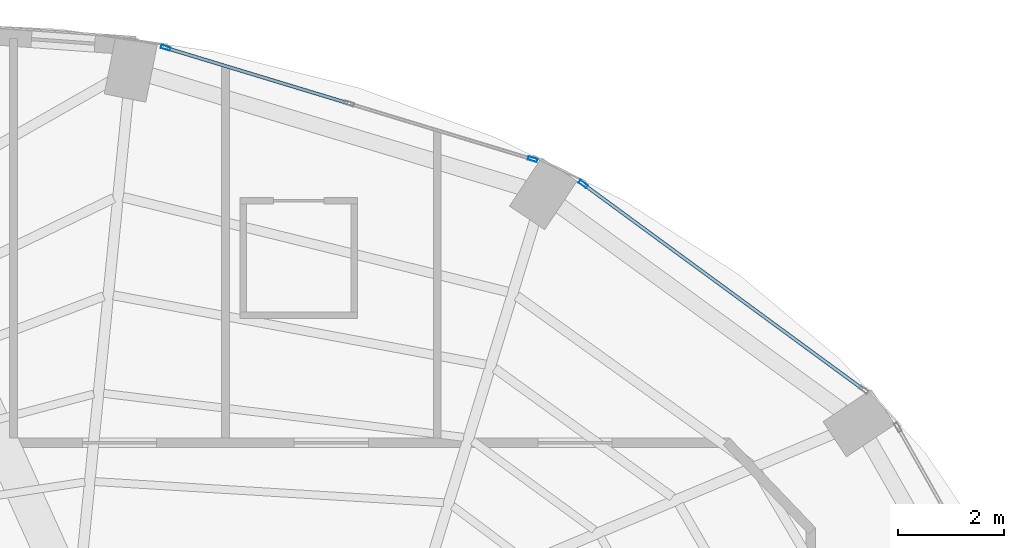
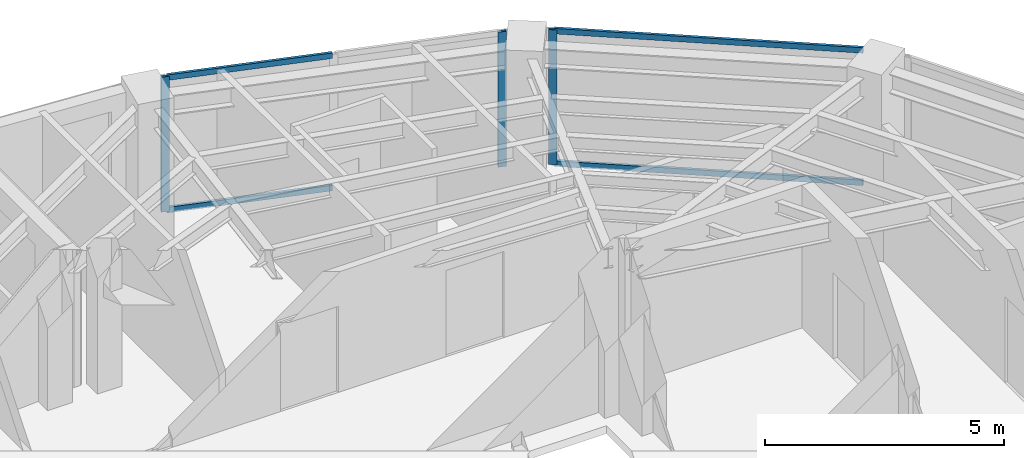
# One storey, part 17 of 23: 7 members, 2 elements without a shape of their own.
"""IFC4 building model written with IfcOpenShell, lengths in metres."""

import ifcopenshell
import ifcopenshell.guid

model = None  # the IFC model being written
_history = None  # IfcOwnerHistory: only IFC2X3 demands one
_inside = {}  # id of a spatial element -> (the spatial element, [elements in it])
_under = {}  # id of a project, library or spatial element -> (it, [spatial elements below it])
_declared = {}  # id of a project -> (the project, [libraries it declares])
_typed = {}  # id of a type object -> (the type object, [elements of that type])
_made_of = {}  # id of a material, layer set ... -> (it, [elements and type objects made of it])


def new_model(schema):
    """Start an empty IFC model of exactly this schema.

    Asked for "IFC4X3", IfcOpenShell would pick the latest addendum, in which some entities
    have other attributes; the version numbers below select the first issue.
    IFC2X3 requires an IfcOwnerHistory on every rooted entity: one is made here for all.
    """
    global model, _history
    if schema == "IFC4X3":
        model = ifcopenshell.file(schema_version=(4, 3, 0, 0))
    else:
        model = ifcopenshell.file(schema=schema)
    _inside.clear()
    _under.clear()
    _declared.clear()
    _typed.clear()
    _made_of.clear()
    _history = None
    if model.schema == "IFC2X3":
        org = make("IfcOrganization", Name="unknown")
        user = make(
            "IfcPersonAndOrganization",
            ThePerson=make("IfcPerson", FamilyName="unknown"),
            TheOrganization=org,
        )
        app = make(
            "IfcApplication",
            ApplicationDeveloper=org,
            Version="unknown",
            ApplicationFullName="unknown",
            ApplicationIdentifier="unknown",
        )
        _history = make(
            "IfcOwnerHistory",
            OwningUser=user,
            OwningApplication=app,
            ChangeAction="ADDED",
            CreationDate=0,
        )
    return model


def make(cls, **values):
    """One entity of the class cls with the attributes given. An attribute that is None is left unset."""
    return model.create_entity(
        cls, **{name: value for name, value in values.items() if value is not None}
    )


def rooted(cls, **values):
    """An entity with a GlobalId (a new one), such as an element, a storey or a relation."""
    return make(cls, GlobalId=ifcopenshell.guid.new(), OwnerHistory=_history, **values)


def si_unit(unit_type, name, prefix=None):
    """IfcSIUnit, for example si_unit("LENGTHUNIT", "METRE", prefix="MILLI")."""
    return make("IfcSIUnit", UnitType=unit_type, Prefix=prefix, Name=name)


def assignment(units):
    """IfcUnitAssignment: the units of a project."""
    return None if units is None else make("IfcUnitAssignment", Units=units)


def point(xyz):
    """IfcCartesianPoint."""
    return None if xyz is None else make("IfcCartesianPoint", Coordinates=xyz)


def direction(xyz):
    """IfcDirection."""
    return None if xyz is None else make("IfcDirection", DirectionRatios=xyz)


def frame(location, z_axis=None, x_axis=None):
    """IfcAxis2Placement3D, a coordinate frame: its origin and axes. An axis left out is left unset."""
    return make(
        "IfcAxis2Placement3D",
        Location=point(location),
        Axis=direction(z_axis),
        RefDirection=direction(x_axis),
    )


def frame_2d(location, x_axis=None):
    """IfcAxis2Placement2D, a coordinate frame in the plane: its origin and x axis."""
    return make(
        "IfcAxis2Placement2D", Location=point(location), RefDirection=direction(x_axis)
    )


def origin():
    """The frame at (0, 0, 0) with its axes left unset."""
    return frame((0.0, 0.0, 0.0))


def origin_2d():
    """The frame at (0, 0) in the plane with its x axis left unset."""
    return frame_2d((0.0, 0.0))


def place(relative_to, where):
    """IfcLocalPlacement: puts the frame where relative to a parent placement (None: the world)."""
    return make(
        "IfcLocalPlacement", PlacementRelTo=relative_to, RelativePlacement=where
    )


def context(
    kind, dimensions, precision=None, world=None, true_north=None, identifier=None
):
    """IfcGeometricRepresentationContext, for example the 3D "Model" context."""
    return make(
        "IfcGeometricRepresentationContext",
        ContextIdentifier=identifier,
        ContextType=kind,
        CoordinateSpaceDimension=dimensions,
        Precision=precision,
        WorldCoordinateSystem=world,
        TrueNorth=true_north,
    )


def subcontext(parent, identifier, kind, view, scale=None):
    """IfcGeometricRepresentationSubContext, for example "Body" below "Model"."""
    return make(
        "IfcGeometricRepresentationSubContext",
        ContextIdentifier=identifier,
        ContextType=kind,
        ParentContext=parent,
        TargetScale=scale,
        TargetView=view,
    )


def project(units=None, contexts=None):
    """IfcProject with its units and contexts."""
    return rooted(
        "IfcProject",
        Name="project",
        RepresentationContexts=contexts,
        UnitsInContext=assignment(units),
    )


def spatial(cls, under=None, at=None, **own):
    """A site, building, storey or space (cls), placed at a placement, below another one or the project."""
    s = rooted(cls, ObjectPlacement=at, **own)
    if under is not None:
        _under.setdefault(under.id(), (under, []))[1].append(s)
    return s


def profile(cls, at=None, kind="AREA", **sizes):
    """A parametric profile (cls). Its sizes go by their IFC names, for example OverallWidth=200.0."""
    return make(cls, ProfileType=kind, Position=at, **sizes)


def hollow_rectangle(**sizes):
    """IfcRectangleHollowProfileDef."""
    return profile("IfcRectangleHollowProfileDef", **sizes)


def extrude(swept, where, along, depth):
    """IfcExtrudedAreaSolid: the profile swept, set in the frame where, extruded along a direction by depth."""
    return make(
        "IfcExtrudedAreaSolid",
        SweptArea=swept,
        Position=where,
        ExtrudedDirection=direction(along),
        Depth=depth,
    )


def shape(context_of_items, identifier, shape_type, items):
    """IfcShapeRepresentation: the items that make up one representation, for example the "Body"."""
    return make(
        "IfcShapeRepresentation",
        ContextOfItems=context_of_items,
        RepresentationIdentifier=identifier,
        RepresentationType=shape_type,
        Items=items,
    )


def material(Name=None, Category=None):
    """IfcMaterial."""
    return make("IfcMaterial", Name=Name, Category=Category)


def layer(
    of_material, thickness, ventilated=None, Name=None, Category=None, Priority=None
):
    """IfcMaterialLayer: one layer of a wall or slab, of a material (None: an air gap)."""
    return make(
        "IfcMaterialLayer",
        Material=of_material,
        LayerThickness=thickness,
        IsVentilated=ventilated,
        Name=Name,
        Category=Category,
        Priority=Priority,
    )


def layer_set(layers, Name=None):
    """IfcMaterialLayerSet."""
    return make("IfcMaterialLayerSet", MaterialLayers=layers, LayerSetName=Name)


def material_profile(
    of_material, cross_section, Name=None, Category=None, Priority=None
):
    """IfcMaterialProfile: a cross section and its material."""
    return make(
        "IfcMaterialProfile",
        Name=Name,
        Material=of_material,
        Profile=cross_section,
        Priority=Priority,
        Category=Category,
    )


def profile_set(profiles, Name=None, composite=None):
    """IfcMaterialProfileSet."""
    return make(
        "IfcMaterialProfileSet",
        Name=Name,
        MaterialProfiles=profiles,
        CompositeProfile=composite,
    )


def made_of(thing, what):
    """Note that an element or type object is made of a material, layer set ...; save() writes the relation."""
    if what is not None:
        _made_of.setdefault(what.id(), (what, []))[1].append(thing)
    return thing


def type_object(cls, material=None, **own):
    """A type object (cls), such as IfcWallType, which elements share."""
    return made_of(rooted(cls, **own), material)


def element(
    cls,
    number,
    at=None,
    inside=None,
    cuts=None,
    type_object=None,
    material=None,
    context=None,
    identifier="Body",
    shape_type=None,
    held_by="IfcProductDefinitionShape",
    body=None,
    shapes=None,
    **own,
):
    """One element of the class cls, such as IfcWall. Its Tag is "e" and its number.

    at: its placement. inside: the storey or other place that contains it. cuts: it is an
    opening in that element (IfcRelVoidsElement). A single representation is given by context,
    identifier, shape_type and body (its items); several are given by shapes. held_by: the class
    of the entity that holds the representations. save() writes the other relations.
    """
    e = rooted(cls, Tag="e%d" % number, ObjectPlacement=at, **own)
    if body is not None:
        shapes = [shape(context, identifier, shape_type, body)]
    if shapes is not None:
        e.Representation = make(held_by, Representations=shapes)
    if inside is not None:
        _inside.setdefault(inside.id(), (inside, []))[1].append(e)
    if cuts is not None:
        rooted(
            "IfcRelVoidsElement", RelatingBuildingElement=cuts, RelatedOpeningElement=e
        )
    if type_object is not None:
        _typed.setdefault(type_object.id(), (type_object, []))[1].append(e)
    return made_of(e, material)


def aggregate(whole, parts):
    """IfcRelAggregates: a whole, such as a stair, and the parts it consists of."""
    return rooted("IfcRelAggregates", RelatingObject=whole, RelatedObjects=parts)


def save(model, path):
    """Write the relations noted so far, then the file.

    IfcRelAggregates (storeys below a building ...), IfcRelContainedInSpatialStructure (elements
    in a storey), IfcRelDefinesByType, IfcRelAssociatesMaterial and IfcRelDeclares: one each for
    every whole, place, type object, material and project.
    """
    for whole, parts in _under.values():
        aggregate(whole, parts)
    for where, things in _inside.values():
        rooted(
            "IfcRelContainedInSpatialStructure",
            RelatedElements=things,
            RelatingStructure=where,
        )
    for kind, things in _typed.values():
        rooted("IfcRelDefinesByType", RelatedObjects=things, RelatingType=kind)
    for what, things in _made_of.values():
        rooted("IfcRelAssociatesMaterial", RelatedObjects=things, RelatingMaterial=what)
    for by, libraries in _declared.values():
        rooted("IfcRelDeclares", RelatingContext=by, RelatedDefinitions=libraries)
    model.write(path)


model = new_model("IFC4")

# Units and contexts
model_context = context("Model", 3, precision=1e-05, world=origin(), true_north=direction((0.0, 1.0)))
body_context = subcontext(model_context, "Body", "Model", "MODEL_VIEW")
ifc_project = project(units=[si_unit("LENGTHUNIT", "METRE"), si_unit("AREAUNIT", "SQUARE_METRE"), si_unit("VOLUMEUNIT", "CUBIC_METRE"), si_unit("PLANEANGLEUNIT", "RADIAN"), si_unit("MASSUNIT", "GRAM", prefix="KILO")], contexts=[model_context])

# Site, building, storey
site_placement = place(None, origin())
site = spatial("IfcSite", under=ifc_project, at=site_placement, CompositionType="ELEMENT")
building_placement = place(site_placement, origin())
building = spatial("IfcBuilding", under=site, at=building_placement, Name="Lazwardi Medical Tower", CompositionType="ELEMENT")
storey_placement = place(building_placement, frame((0.0, 0.0, 198.47998046875)))
storey = spatial("IfcBuildingStorey", under=building, at=storey_placement, Name="L51", CompositionType="ELEMENT", Elevation=198.47998046875)

# Curtain wall, member
ifc_material_1 = material(Name="Anodised bronze aluminium and solar control glazing", Category="aluminium")
ifc_layer = layer(ifc_material_1, 0.18994140625)
ifc_layer_set = layer_set([ifc_layer], Name="Anodised bronze aluminium and solar control glazing")
curtain_wall_type = type_object("IfcCurtainWallType", Name="CW-SYS-04", PredefinedType="NOTDEFINED", material=ifc_layer_set)
curtain_wall_1_placement = place(storey_placement, origin())
curtain_wall_1 = element("IfcCurtainWall", 1, at=curtain_wall_1_placement, inside=storey, type_object=curtain_wall_type, Name="L51 Unitised bronze curtain wall CW-04", PredefinedType="NOTDEFINED")
ifc_material_2 = material(Name="Anodised bronze aluminium", Category="aluminium")
ifc_material_profile_1 = material_profile(ifc_material_2, hollow_rectangle(XDim=0.06494140625, YDim=0.179931640625, WallThickness=0.00390625, at=origin_2d()), Name="ALU-MULLION 180x65x4")
ifc_profile_set_1 = profile_set([ifc_material_profile_1], Name="Anodised bronze aluminium")
member_type_1 = type_object("IfcMemberType", Name="CW-MUL-03", PredefinedType="MULLION", material=ifc_profile_set_1)
member_1_placement = place(storey_placement, frame((48.75537109375, 43.634765625, 0.0), z_axis=(0.0, 0.0, 1.0), x_axis=(-0.591268230971, -0.806474971121, 0.0)))
member_1 = element("IfcMember", 2, at=member_1_placement, type_object=member_type_1, Name="CW-04 mullion 2", PredefinedType="MULLION", context=body_context, shape_type="SweptSolid", body=[
    extrude(hollow_rectangle(XDim=0.06494140625, YDim=0.179931640625, WallThickness=0.00390625, at=origin_2d()), origin(), (0.0, 0.0, 1.0), 3.447998046875),
])

# Curtain wall, members
curtain_wall_2_placement = place(storey_placement, origin())
curtain_wall_2 = element("IfcCurtainWall", 3, at=curtain_wall_2_placement, inside=storey, type_object=curtain_wall_type, Name="L51 Unitised bronze curtain wall CW-04", PredefinedType="NOTDEFINED")
member_2_placement = place(storey_placement, frame((47.7998046875, 44.103515625, 0.0), z_axis=(0.0, 0.0, 1.0), x_axis=(-0.290581889515, -0.956850126972, 0.0)))
member_2 = element("IfcMember", 4, at=member_2_placement, type_object=member_type_1, Name="CW-04 mullion 1", PredefinedType="MULLION", context=body_context, shape_type="SweptSolid", body=[
    extrude(hollow_rectangle(XDim=0.06494140625, YDim=0.179931640625, WallThickness=0.00390625, at=origin_2d()), origin(), (0.0, 0.0, 1.0), 3.447998046875),
])
member_3_placement = place(storey_placement, frame((40.873046875, 46.20703125, 0.0), z_axis=(0.0, 0.0, 1.0), x_axis=(-0.290581889515, -0.956850126972, 0.0)))
member_3 = element("IfcMember", 5, at=member_3_placement, type_object=member_type_1, Name="CW-04 mullion 3", PredefinedType="MULLION", context=body_context, shape_type="SweptSolid", body=[
    extrude(hollow_rectangle(XDim=0.06494140625, YDim=0.179931640625, WallThickness=0.00390625, at=origin_2d()), origin(), (0.0, 0.0, 1.0), 3.447998046875),
])

# Member
ifc_material_profile_2 = material_profile(ifc_material_2, hollow_rectangle(XDim=0.06494140625, YDim=0.139892578125, WallThickness=0.00341796875, at=origin_2d()), Name="ALU-TRANSOM 140x65x3.5")
ifc_profile_set_2 = profile_set([ifc_material_profile_2], Name="Anodised bronze aluminium")
member_type_2 = type_object("IfcMemberType", Name="CW-TRN-03", PredefinedType="USERDEFINED", material=ifc_profile_set_2)
member_4_placement = place(storey_placement, frame((54.02587890625, 39.770751953125, 0.032470703125), z_axis=(-0.806471831148, 0.591272513791, 0.0), x_axis=(-0.591272513791, -0.806471831148, 0.0)))
member_4 = element("IfcMember", 6, at=member_4_placement, type_object=member_type_2, Name="CW-04 transom 1.1", ObjectType="TRANSOM", PredefinedType="USERDEFINED", context=body_context, shape_type="SweptSolid", body=[
    extrude(hollow_rectangle(XDim=0.06494140625, YDim=0.139892578125, WallThickness=0.00341796875, at=origin_2d()), origin(), (0.0, 0.0, 1.0), 6.5029296875),
])

member_5_placement = place(storey_placement, frame((54.02587890625, 39.770751953125, 3.41552734375), z_axis=(-0.806471831148, 0.591272513791, 0.0), x_axis=(-0.591272513791, -0.806471831148, 0.0)))
member_5 = element("IfcMember", 7, at=member_5_placement, type_object=member_type_2, Name="CW-04 transom 1.2", ObjectType="TRANSOM", PredefinedType="USERDEFINED", context=body_context, shape_type="SweptSolid", body=[
    extrude(hollow_rectangle(XDim=0.06494140625, YDim=0.139892578125, WallThickness=0.00341796875, at=origin_2d()), origin(), (0.0, 0.0, 1.0), 6.5029296875),
])

aggregate(curtain_wall_1, [member_1, member_4, member_5])

member_6_placement = place(storey_placement, frame((44.305419921875, 45.164794921875, 0.032470703125), z_axis=(-0.956862505902, 0.290541124109, 0.0), x_axis=(-0.290541124109, -0.956862505902, 0.0)))
member_6 = element("IfcMember", 8, at=member_6_placement, type_object=member_type_2, Name="CW-04 transom 2.1", ObjectType="TRANSOM", PredefinedType="USERDEFINED", context=body_context, shape_type="SweptSolid", body=[
    extrude(hollow_rectangle(XDim=0.06494140625, YDim=0.139892578125, WallThickness=0.00341796875, at=origin_2d()), origin(), (0.0, 0.0, 1.0), 3.554443359375),
])

member_7_placement = place(storey_placement, frame((44.305419921875, 45.164794921875, 3.41552734375), z_axis=(-0.956862505902, 0.290541124109, 0.0), x_axis=(-0.290541124109, -0.956862505902, 0.0)))
member_7 = element("IfcMember", 9, at=member_7_placement, type_object=member_type_2, Name="CW-04 transom 2.2", ObjectType="TRANSOM", PredefinedType="USERDEFINED", context=body_context, shape_type="SweptSolid", body=[
    extrude(hollow_rectangle(XDim=0.06494140625, YDim=0.139892578125, WallThickness=0.00341796875, at=origin_2d()), origin(), (0.0, 0.0, 1.0), 3.554443359375),
])

aggregate(curtain_wall_2, [member_2, member_3, member_6, member_7])

save(model, "model.ifc")
